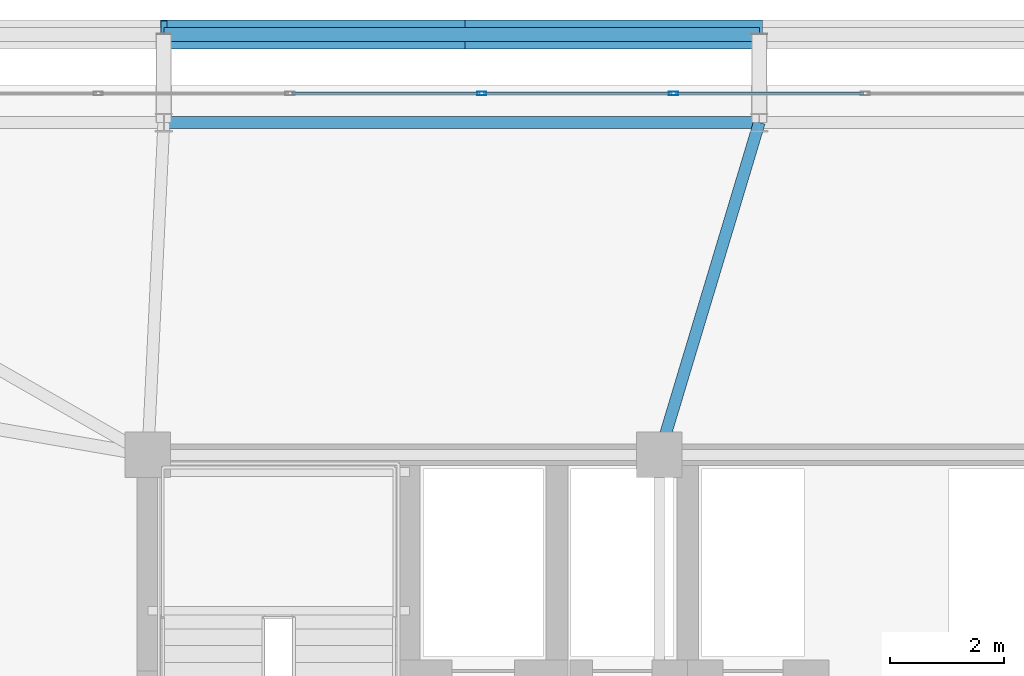
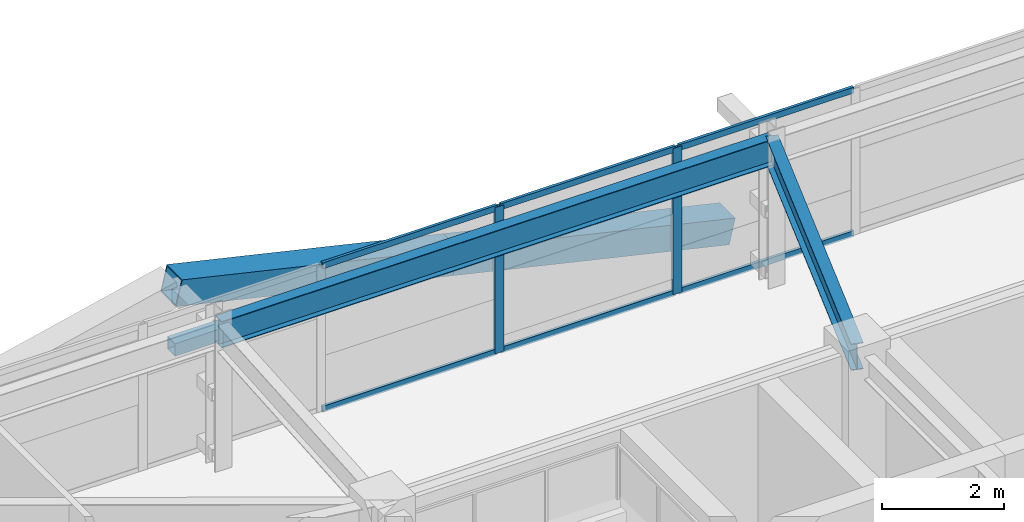
# One storey, part 36 of 59: 11 members, 2 beams, 1 element without a shape of its own.
"""IFC4 building model written with IfcOpenShell, lengths in metres."""

from ifc_helpers import new_model, si_unit, direction, frame, origin, origin_2d, place, context, subcontext, project, spatial, hollow_rectangle, i_section, extrude, source, transform, mapped, material, layer, layer_set, material_profile, profile_set, type_object, element, aggregate, save


model = new_model("IFC4")

# Units and contexts
model_context = context("Model", 3, precision=1e-05, world=origin(), true_north=direction((0.0, 1.0)))
body_context = subcontext(model_context, "Body", "Model", "MODEL_VIEW")
ifc_project = project(units=[si_unit("LENGTHUNIT", "METRE"), si_unit("AREAUNIT", "SQUARE_METRE"), si_unit("VOLUMEUNIT", "CUBIC_METRE"), si_unit("PLANEANGLEUNIT", "RADIAN"), si_unit("MASSUNIT", "GRAM", prefix="KILO")], contexts=[model_context])

# Site, building, storey
site_placement = place(None, origin())
site = spatial("IfcSite", under=ifc_project, at=site_placement, CompositionType="ELEMENT")
building_placement = place(site_placement, origin())
building = spatial("IfcBuilding", under=site, at=building_placement, Name="Taldren Reach Tower", CompositionType="ELEMENT")
storey_placement = place(building_placement, frame((0.0, 0.0, 29.39990234375)))
storey = spatial("IfcBuildingStorey", under=building, at=storey_placement, Name="L08", CompositionType="ELEMENT", Elevation=29.39990234375)

# Beams
ifc_material_1 = material(Name="Steel Gr 350 (350PLUS)", Category="steel")
ifc_material_profile_1 = material_profile(ifc_material_1, i_section(OverallWidth=0.208984375, OverallDepth=0.528076171875, WebThickness=0.009521484375, FlangeThickness=0.01318359375, at=origin_2d()), Name="530UB82.0")
ifc_profile_set_1 = profile_set([ifc_material_profile_1], Name="Steel Gr 350 (350PLUS)")
beam_type_1 = type_object("IfcBeamType", Name="SP-UB530B", PredefinedType="SPANDREL", material=ifc_profile_set_1)
shared_shape_1 = source(origin(), body_context, "Body", "SweptSolid", [
    extrude(i_section(OverallWidth=0.208984375, OverallDepth=0.528076171875, WebThickness=0.009521484375, FlangeThickness=0.01318359375, at=origin_2d()), origin(), (0.0, 0.0, 1.0), 10.47998046875),
])
beam_1_placement = place(storey_placement, frame((29.760009765625, 37.85009765625, 2.666015625), z_axis=(-1.0, 0.0, 0.0), x_axis=(0.0, -1.0, 0.0)))
element("IfcBeam", 1, at=beam_1_placement, inside=storey, type_object=beam_type_1, Name="Perimeter spandrel B1 N3-N2 L08", PredefinedType="SPANDREL", context=body_context, shape_type="MappedRepresentation", body=[
    mapped(shared_shape_1, transform((0.0, 0.0, 0.0), scale=1.0)),
])
ifc_material_profile_2 = material_profile(ifc_material_1, i_section(OverallWidth=0.208984375, OverallDepth=0.532958984375, WebThickness=0.01025390625, FlangeThickness=0.015625, at=origin_2d()), Name="530UB92.4")
ifc_profile_set_2 = profile_set([ifc_material_profile_2], Name="Steel Gr 350 (350PLUS)")
beam_type_2 = type_object("IfcBeamType", Name="BM-UB530A", PredefinedType="BEAM", material=ifc_profile_set_2)
shared_shape_2 = source(origin(), body_context, "Body", "SweptSolid", [
    extrude(i_section(OverallWidth=0.208984375, OverallDepth=0.532958984375, WebThickness=0.01025390625, FlangeThickness=0.015625, at=origin_2d()), origin(), (0.0, 0.0, 1.0), 6.109130859375),
])
beam_2_placement = place(storey_placement, frame((28.0, 32.0, 2.66357421875), z_axis=(0.288095735745, 0.957601611864, 0.0), x_axis=(-0.957601611864, 0.288095735745, 0.0)))
element("IfcBeam", 2, at=beam_2_placement, inside=storey, type_object=beam_type_2, Name="Primary floor girder B1-N3 L08", PredefinedType="BEAM", context=body_context, shape_type="MappedRepresentation", body=[
    mapped(shared_shape_2, transform((0.0, 0.0, 0.0), scale=1.0)),
])

# Members
ifc_material_2 = material(Name="Steel Gr 450 (C450L0)", Category="steel")
ifc_material_profile_3 = material_profile(ifc_material_2, hollow_rectangle(XDim=0.510009765625, YDim=0.510009765625, WallThickness=0.02001953125, at=origin_2d()), Name="510x510x20.0SHS")
ifc_profile_set_3 = profile_set([ifc_material_profile_3], Name="Steel Gr 450 (C450L0)")
member_type_1 = type_object("IfcMemberType", Name="MB-EXO508", PredefinedType="BRACE", material=ifc_profile_set_3)
shared_shape_3 = source(origin(), body_context, "Body", "SweptSolid", [
    extrude(hollow_rectangle(XDim=0.510009765625, YDim=0.510009765625, WallThickness=0.02001953125, at=origin_2d()), origin(), (0.0, 0.0, 1.0), 5.37890625),
])
for number, where, z_axis, x_axis, name in (
    (3, (29.760009765625, 39.39990234375, 0.22021484375), (-0.974161966843, 0.0, 0.225850531007), (0.0, -1.0, 0.0), "Exoskeleton Diagrid Brace B1-N2 L08"),
    (4, (24.52001953125, 39.39990234375, 1.43505859375), (-0.97415197996, 0.0, 0.225893603143), (0.0, -1.0, 0.0), "Exoskeleton Diagrid Brace B1-N2 L08"),
):
    element("IfcMember", number, at=place(storey_placement, frame(where, z_axis=z_axis, x_axis=x_axis)), inside=storey, type_object=member_type_1, Name=name, PredefinedType="BRACE", context=body_context, shape_type="MappedRepresentation", body=[
        mapped(shared_shape_3, transform((0.0, 0.0, 0.0), scale=1.0)),
    ])
ifc_material_3 = material(Name="Steel Gr 350 (C350L0)", Category="steel")
ifc_material_profile_4 = material_profile(ifc_material_3, hollow_rectangle(XDim=0.25, YDim=0.25, WallThickness=0.010009765625, at=origin_2d()), Name="250x250x10.0SHS")
ifc_profile_set_4 = profile_set([ifc_material_profile_4], Name="Steel Gr 350 (C350L0)")
member_type_2 = type_object("IfcMemberType", Name="MB-POST250", PredefinedType="POST", material=ifc_profile_set_4)
shared_shape_4 = source(origin(), body_context, "Body", "SweptSolid", [
    extrude(hollow_rectangle(XDim=0.25, YDim=0.25, WallThickness=0.010009765625, at=origin_2d()), origin(), (0.0, 0.0, 1.0), 10.47998046875),
])
member_1_placement = place(storey_placement, frame((19.280029296875, 39.39990234375, 1.43505859375), z_axis=(1.0, 0.0, 0.0), x_axis=(0.0, 1.0, 0.0)))
element("IfcMember", 5, at=member_1_placement, inside=storey, type_object=member_type_2, Name="Exoskeleton mid-height ring chord B1-N2 L08", PredefinedType="POST", context=body_context, shape_type="MappedRepresentation", body=[
    mapped(shared_shape_4, transform((0.0, 0.0, 0.0), scale=1.0)),
])

# Curtain wall, members
ifc_material_4 = material(Name="Aluminium and Low-E Glass Unitised System", Category="aluminium")
ifc_layer = layer(ifc_material_4, 0.159912109375)
ifc_layer_set = layer_set([ifc_layer], Name="Aluminium and Low-E Glass Unitised System")
curtain_wall_type = type_object("IfcCurtainWallType", Name="CW-SYS-2", PredefinedType="NOTDEFINED", material=ifc_layer_set)
curtain_wall_placement = place(storey_placement, origin())
curtain_wall = element("IfcCurtainWall", 6, at=curtain_wall_placement, inside=storey, type_object=curtain_wall_type, Name="Unitised curtain wall CW-L08-N", PredefinedType="NOTDEFINED")
ifc_material_5 = material(Name="Anodised Aluminium 6063-T6", Category="aluminium")
ifc_material_profile_5 = material_profile(ifc_material_5, hollow_rectangle(XDim=0.054931640625, YDim=0.1201171875, WallThickness=0.0029296875, at=origin_2d()), Name="ALU-120x55x3RHS")
ifc_profile_set_5 = profile_set([ifc_material_profile_5], Name="Anodised Aluminium 6063-T6")
member_type_3 = type_object("IfcMemberType", Name="CW-TRN-135", PredefinedType="USERDEFINED", material=ifc_profile_set_5)
shared_shape_5 = source(origin(), body_context, "Body", "SweptSolid", [
    extrude(hollow_rectangle(XDim=0.054931640625, YDim=0.1201171875, WallThickness=0.0029296875, at=origin_2d()), origin(), (0.0, 0.0, 1.0), 3.31005859375),
])
member_2_placement = place(storey_placement, frame((31.592529296875, 38.360107421875, 0.027587890625), z_axis=(-1.0, 0.0, 0.0), x_axis=(0.0, -1.0, 0.0)))
member_2 = element("IfcMember", 7, at=member_2_placement, type_object=member_type_3, Name="CW-2 transom 10.1", ObjectType="TRANSOM", PredefinedType="USERDEFINED", context=body_context, shape_type="MappedRepresentation", body=[
    mapped(shared_shape_5, transform((0.0, 0.0, 0.0), scale=1.0)),
])
member_3_placement = place(storey_placement, frame((31.592529296875, 38.360107421875, 2.902587890625), z_axis=(-1.0, 0.0, 0.0), x_axis=(0.0, -1.0, 0.0)))
member_3 = element("IfcMember", 8, at=member_3_placement, type_object=member_type_3, Name="CW-2 transom 10.2", ObjectType="TRANSOM", PredefinedType="USERDEFINED", context=body_context, shape_type="MappedRepresentation", body=[
    mapped(shared_shape_5, transform((0.0, 0.0, 0.0), scale=1.0)),
])
member_4_placement = place(storey_placement, frame((28.217529296875, 38.360107421875, 0.027587890625), z_axis=(-1.0, 0.0, 0.0), x_axis=(0.0, -1.0, 0.0)))
member_4 = element("IfcMember", 9, at=member_4_placement, type_object=member_type_3, Name="CW-2 transom 11.1", ObjectType="TRANSOM", PredefinedType="USERDEFINED", context=body_context, shape_type="MappedRepresentation", body=[
    mapped(shared_shape_5, transform((0.0, 0.0, 0.0), scale=1.0)),
])
member_5_placement = place(storey_placement, frame((28.217529296875, 38.360107421875, 2.902587890625), z_axis=(-1.0, 0.0, 0.0), x_axis=(0.0, -1.0, 0.0)))
member_5 = element("IfcMember", 10, at=member_5_placement, type_object=member_type_3, Name="CW-2 transom 11.2", ObjectType="TRANSOM", PredefinedType="USERDEFINED", context=body_context, shape_type="MappedRepresentation", body=[
    mapped(shared_shape_5, transform((0.0, 0.0, 0.0), scale=1.0)),
])
member_6_placement = place(storey_placement, frame((24.842529296875, 38.360107421875, 0.027587890625), z_axis=(-1.0, 0.0, 0.0), x_axis=(0.0, -1.0, 0.0)))
member_6 = element("IfcMember", 11, at=member_6_placement, type_object=member_type_3, Name="CW-2 transom 12.1", ObjectType="TRANSOM", PredefinedType="USERDEFINED", context=body_context, shape_type="MappedRepresentation", body=[
    mapped(shared_shape_5, transform((0.0, 0.0, 0.0), scale=1.0)),
])
member_7_placement = place(storey_placement, frame((24.842529296875, 38.360107421875, 2.902587890625), z_axis=(-1.0, 0.0, 0.0), x_axis=(0.0, -1.0, 0.0)))
member_7 = element("IfcMember", 12, at=member_7_placement, type_object=member_type_3, Name="CW-2 transom 12.2", ObjectType="TRANSOM", PredefinedType="USERDEFINED", context=body_context, shape_type="MappedRepresentation", body=[
    mapped(shared_shape_5, transform((0.0, 0.0, 0.0), scale=1.0)),
])
ifc_material_profile_6 = material_profile(ifc_material_5, hollow_rectangle(XDim=0.06494140625, YDim=0.1650390625, WallThickness=0.00390625, at=origin_2d()), Name="ALU-165x65x4RHS")
ifc_profile_set_6 = profile_set([ifc_material_profile_6], Name="Anodised Aluminium 6063-T6")
member_type_4 = type_object("IfcMemberType", Name="CW-MUL-165", PredefinedType="MULLION", material=ifc_profile_set_6)
shared_shape_6 = source(origin(), body_context, "Body", "SweptSolid", [
    extrude(hollow_rectangle(XDim=0.06494140625, YDim=0.1650390625, WallThickness=0.00390625, at=origin_2d()), origin(), (0.0, 0.0, 1.0), 2.93017578125),
])
member_8_placement = place(storey_placement, frame((28.25, 38.360107421875, 0.0), z_axis=(0.0, 0.0, 1.0), x_axis=(0.0, -1.0, 0.0)))
member_8 = element("IfcMember", 13, at=member_8_placement, type_object=member_type_4, Name="CW-2 mullion 11", PredefinedType="MULLION", context=body_context, shape_type="MappedRepresentation", body=[
    mapped(shared_shape_6, transform((0.0, 0.0, 0.0), scale=1.0)),
])
member_9_placement = place(storey_placement, frame((24.875, 38.360107421875, 0.0), z_axis=(0.0, 0.0, 1.0), x_axis=(0.0, -1.0, 0.0)))
member_9 = element("IfcMember", 14, at=member_9_placement, type_object=member_type_4, Name="CW-2 mullion 12", PredefinedType="MULLION", context=body_context, shape_type="MappedRepresentation", body=[
    mapped(shared_shape_6, transform((0.0, 0.0, 0.0), scale=1.0)),
])
aggregate(curtain_wall, [member_8, member_9, member_2, member_3, member_4, member_5, member_6, member_7])

save(model, "model.ifc")
